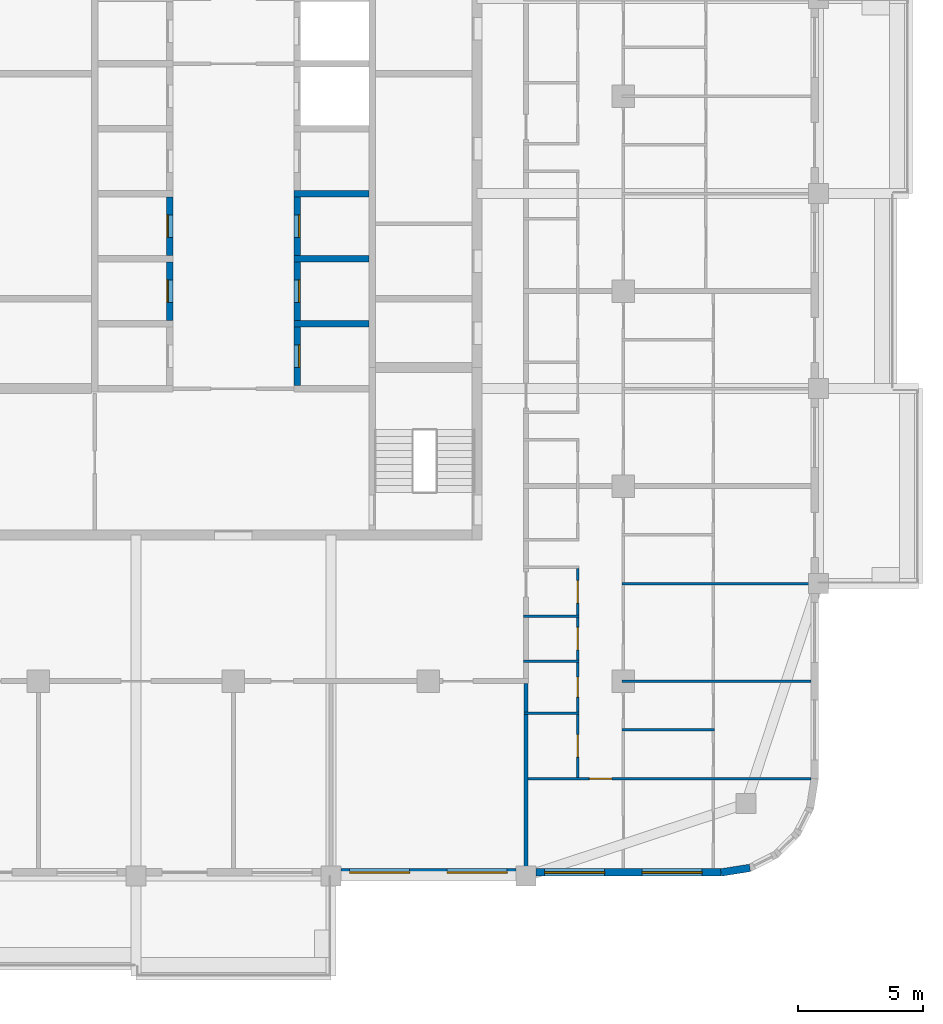
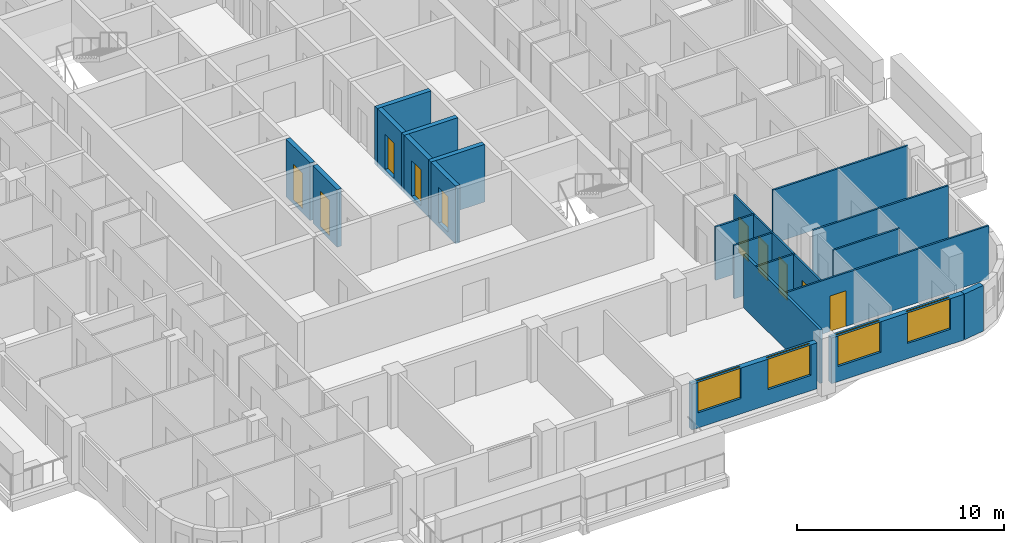
# One storey, part 5 of 16: 20 walls, 10 doors, 4 windows, 14 openings.
"""IFC4 building model written with IfcOpenShell, lengths in metres."""

from ifc_helpers import new_model, si_unit, direction, frame, frame_2d, origin, place, context, subcontext, project, spatial, rectangle, extrude, material, layer, layer_set, type_object, element, fill, save


model = new_model("IFC4")

# Units and contexts
model_context = context("Model", 3, precision=1e-05, world=origin(), true_north=direction((0.0, 1.0)))
body_context = subcontext(model_context, "Body", "Model", "MODEL_VIEW")
ifc_project = project(units=[si_unit("LENGTHUNIT", "METRE"), si_unit("AREAUNIT", "SQUARE_METRE"), si_unit("VOLUMEUNIT", "CUBIC_METRE"), si_unit("PLANEANGLEUNIT", "RADIAN"), si_unit("MASSUNIT", "GRAM", prefix="KILO")], contexts=[model_context])

# Site, building, storey
site_placement = place(None, origin())
site = spatial("IfcSite", under=ifc_project, at=site_placement, CompositionType="ELEMENT")
building_placement = place(site_placement, origin())
building = spatial("IfcBuilding", under=site, at=building_placement, Name="Ludao Terraces", CompositionType="ELEMENT")
storey_placement = place(building_placement, frame((0.0, 0.0, 217.699951171875)))
storey = spatial("IfcBuildingStorey", under=building, at=storey_placement, Name="L59", CompositionType="ELEMENT", Elevation=217.699951171875)

# Wall, openings, windows
ifc_material_1 = material(Name="Granite cladding", Category="masonry")
ifc_layer_1 = layer(ifc_material_1, 0.0400390625, Category="stone")
ifc_material_2 = material(Name="Mineral wool")
ifc_layer_2 = layer(ifc_material_2, 0.06005859375)
ifc_material_3 = material(Name="Concrete C40", Category="concrete")
ifc_layer_3 = layer(ifc_material_3, 0.199951171875, Category="concrete")
ifc_layer_set_1 = layer_set([ifc_layer_1, ifc_layer_2, ifc_layer_3], Name="ENV Stone-clad wall 300")
wall_type_1 = type_object("IfcWallType", Name="ENV Stone-clad wall 300", PredefinedType="SOLIDWALL", material=ifc_layer_set_1)
wall_1_placement = place(storey_placement, frame((89.300048828125, 41.75, 0.0), z_axis=(0.0, 0.0, 1.0), x_axis=(1.0, 0.0, 0.0)))
wall_1 = element("IfcWall", 1, at=wall_1_placement, inside=storey, type_object=wall_type_1, Name="EW-L59-S4", PredefinedType="SOLIDWALL", context=body_context, shape_type="SweptSolid", body=[
    extrude(rectangle(XDim=7.0, YDim=0.300048828125, at=frame_2d((3.5, 0.0))), origin(), (0.0, 0.0, 1.0), 2.699951171875),
])
opening_1_placement = place(wall_1_placement, frame((0.35009765625, 0.0, 0.89990234375)))
opening_1 = element("IfcOpeningElement", 2, at=opening_1_placement, cuts=wall_1, Name="Opening W1", PredefinedType="OPENING", context=body_context, shape_type="SweptSolid", body=[
    extrude(rectangle(XDim=2.39990234375, YDim=1.800048828125, at=frame_2d((1.199951171875, 0.89990234375))), frame((0.0, 0.16015625, 0.0), z_axis=(0.0, -1.0, 0.0), x_axis=(1.0, 0.0, 0.0)), (0.0, 0.0, 1.0), 0.320068359375),
])
opening_2_placement = place(wall_1_placement, frame((4.25, 0.0, 0.89990234375)))
opening_2 = element("IfcOpeningElement", 3, at=opening_2_placement, cuts=wall_1, Name="Opening W1", PredefinedType="OPENING", context=body_context, shape_type="SweptSolid", body=[
    extrude(rectangle(XDim=2.39990234375, YDim=1.800048828125, at=frame_2d((1.199951171875, 0.89990234375))), frame((0.0, 0.16015625, 0.0), z_axis=(0.0, -1.0, 0.0), x_axis=(1.0, 0.0, 0.0)), (0.0, 0.0, 1.0), 0.320068359375),
])
ifc_material_4 = material(Name="Clear glass in aluminium frame", Category="aluminium")
ifc_layer_4 = layer(ifc_material_4, 0.06005859375)
ifc_layer_set_2 = layer_set([ifc_layer_4], Name="ENV Window W1 2400x1800")
window_type = type_object("IfcWindowType", Name="ENV Window W1 2400x1800", PartitioningType="DOUBLE_PANEL_VERTICAL", PredefinedType="WINDOW", material=ifc_layer_set_2)
window_1_placement = place(opening_1_placement, origin())
window_1 = element("IfcWindow", 4, at=window_1_placement, inside=storey, type_object=window_type, Name="W-L59-S4-1", OverallHeight=1.800048828125, OverallWidth=2.39990234375, PartitioningType="DOUBLE_PANEL_VERTICAL", PredefinedType="WINDOW", context=body_context, shape_type="SweptSolid", body=[
    extrude(rectangle(XDim=2.39990234375, YDim=1.800048828125, at=frame_2d((1.199951171875, 0.89990234375))), frame((0.0, 0.030029296875, 0.0), z_axis=(0.0, -1.0, 0.0), x_axis=(1.0, 0.0, 0.0)), (0.0, 0.0, 1.0), 0.06005859375),
])
fill(opening_1, window_1)
window_2_placement = place(opening_2_placement, origin())
window_2 = element("IfcWindow", 5, at=window_2_placement, inside=storey, type_object=window_type, Name="W-L59-S4-2", OverallHeight=1.800048828125, OverallWidth=2.39990234375, PartitioningType="DOUBLE_PANEL_VERTICAL", PredefinedType="WINDOW", context=body_context, shape_type="SweptSolid", body=[
    extrude(rectangle(XDim=2.39990234375, YDim=1.800048828125, at=frame_2d((1.199951171875, 0.89990234375))), frame((0.0, 0.030029296875, 0.0), z_axis=(0.0, -1.0, 0.0), x_axis=(1.0, 0.0, 0.0)), (0.0, 0.0, 1.0), 0.06005859375),
])
fill(opening_2, window_2)

wall_2_placement = place(storey_placement, frame((97.10009765625, 41.75, 0.0), z_axis=(0.0, 0.0, 1.0), x_axis=(1.0, 0.0, 0.0)))
wall_2 = element("IfcWall", 6, at=wall_2_placement, inside=storey, type_object=wall_type_1, Name="EW-L59-S5", PredefinedType="SOLIDWALL", context=body_context, shape_type="SweptSolid", body=[
    extrude(rectangle(XDim=7.39990234375, YDim=0.300048828125, at=frame_2d((3.699951171875, 0.0))), origin(), (0.0, 0.0, 1.0), 2.699951171875),
])
opening_3_placement = place(wall_2_placement, frame((0.35009765625, 0.0, 0.89990234375)))
opening_3 = element("IfcOpeningElement", 7, at=opening_3_placement, cuts=wall_2, Name="Opening W1", PredefinedType="OPENING", context=body_context, shape_type="SweptSolid", body=[
    extrude(rectangle(XDim=2.39990234375, YDim=1.800048828125, at=frame_2d((1.199951171875, 0.89990234375))), frame((0.0, 0.16015625, 0.0), z_axis=(0.0, -1.0, 0.0), x_axis=(1.0, 0.0, 0.0)), (0.0, 0.0, 1.0), 0.320068359375),
])
opening_4_placement = place(wall_2_placement, frame((4.25, 0.0, 0.89990234375)))
opening_4 = element("IfcOpeningElement", 8, at=opening_4_placement, cuts=wall_2, Name="Opening W1", PredefinedType="OPENING", context=body_context, shape_type="SweptSolid", body=[
    extrude(rectangle(XDim=2.39990234375, YDim=1.800048828125, at=frame_2d((1.199951171875, 0.89990234375))), frame((0.0, 0.16015625, 0.0), z_axis=(0.0, -1.0, 0.0), x_axis=(1.0, 0.0, 0.0)), (0.0, 0.0, 1.0), 0.320068359375),
])
window_3_placement = place(opening_3_placement, origin())
window_3 = element("IfcWindow", 9, at=window_3_placement, inside=storey, type_object=window_type, Name="W-L59-S5-1", OverallHeight=1.800048828125, OverallWidth=2.39990234375, PartitioningType="DOUBLE_PANEL_VERTICAL", PredefinedType="WINDOW", context=body_context, shape_type="SweptSolid", body=[
    extrude(rectangle(XDim=2.39990234375, YDim=1.800048828125, at=frame_2d((1.199951171875, 0.89990234375))), frame((0.0, 0.030029296875, 0.0), z_axis=(0.0, -1.0, 0.0), x_axis=(1.0, 0.0, 0.0)), (0.0, 0.0, 1.0), 0.06005859375),
])
fill(opening_3, window_3)
window_4_placement = place(opening_4_placement, origin())
window_4 = element("IfcWindow", 10, at=window_4_placement, inside=storey, type_object=window_type, Name="W-L59-S5-2", OverallHeight=1.800048828125, OverallWidth=2.39990234375, PartitioningType="DOUBLE_PANEL_VERTICAL", PredefinedType="WINDOW", context=body_context, shape_type="SweptSolid", body=[
    extrude(rectangle(XDim=2.39990234375, YDim=1.800048828125, at=frame_2d((1.199951171875, 0.89990234375))), frame((0.0, 0.030029296875, 0.0), z_axis=(0.0, -1.0, 0.0), x_axis=(1.0, 0.0, 0.0)), (0.0, 0.0, 1.0), 0.06005859375),
])
fill(opening_4, window_4)

# Wall
wall_3_placement = place(storey_placement, frame((104.5, 41.75, 0.0), z_axis=(0.0, 0.0, 1.0), x_axis=(0.987678452879, 0.156496880861, 0.0)))
element("IfcWall", 11, at=wall_3_placement, inside=storey, type_object=wall_type_1, Name="EW-L59-SE1", PredefinedType="SOLIDWALL", context=body_context, shape_type="SweptSolid", body=[
    extrude(rectangle(XDim=1.173095703125, YDim=0.300048828125, at=frame_2d((0.58642578125, 0.0))), origin(), (0.0, 0.0, 1.0), 2.699951171875),
])

# Wall, opening, door
ifc_material_5 = material(Name="Gypsum plasterboard", Category="gypsum")
ifc_layer_5 = layer(ifc_material_5, 0.012451171875, Category="gypsum")
ifc_layer_6 = layer(ifc_material_2, 0.06005859375, Name="insulation")
ifc_material_6 = material(Name="Steel Q235", Category="steel")
ifc_layer_7 = layer(ifc_material_6, 0.014892578125, Name="stud")
ifc_layer_8 = layer(ifc_material_5, 0.012451171875, Category="gypsum")
ifc_layer_set_3 = layer_set([ifc_layer_5, ifc_layer_6, ifc_layer_7, ifc_layer_8], Name="INT Partition 100")
wall_type_2 = type_object("IfcWallType", Name="INT Partition 100", PredefinedType="PARTITIONING", material=ifc_layer_set_3)
wall_4_placement = place(storey_placement, frame((96.625, 45.5, 0.0), z_axis=(0.0, 0.0, 1.0), x_axis=(1.0, 0.0, 0.0)))
wall_4 = element("IfcWall", 12, at=wall_4_placement, inside=storey, type_object=wall_type_2, Name="PW-L59-PW001", PredefinedType="PARTITIONING", context=body_context, shape_type="SweptSolid", body=[
    extrude(rectangle(XDim=11.47509765625, YDim=0.10009765625, at=frame_2d((5.737548828125, 0.0))), origin(), (0.0, 0.0, 1.0), 3.150146484375),
])
opening_5_placement = place(wall_4_placement, frame((2.610107421875, 0.0, 0.0)))
opening_5 = element("IfcOpeningElement", 13, at=opening_5_placement, cuts=wall_4, Name="Opening R21-006", PredefinedType="OPENING", context=body_context, shape_type="SweptSolid", body=[
    extrude(rectangle(XDim=0.89990234375, YDim=2.10009765625, at=frame_2d((0.449951171875, 1.050048828125))), frame((0.0, 0.06005859375, 0.0), z_axis=(0.0, -1.0, 0.0), x_axis=(1.0, 0.0, 0.0)), (0.0, 0.0, 1.0), 0.1201171875),
])
ifc_material_7 = material(Name="Timber door leaf", Category="wood")
door_type_1 = type_object("IfcDoorType", Name="INT Room door 900", OperationType="SINGLE_SWING_LEFT", PredefinedType="DOOR", material=ifc_material_7)
door_1_placement = place(opening_5_placement, origin())
door_1 = element("IfcDoor", 14, at=door_1_placement, inside=storey, type_object=door_type_1, Name="DOOR 006", OperationType="SINGLE_SWING_RIGHT", OverallHeight=2.10009765625, OverallWidth=0.89990234375, PredefinedType="DOOR", context=body_context, shape_type="SweptSolid", body=[
    extrude(rectangle(XDim=0.89990234375, YDim=2.10009765625, at=frame_2d((0.449951171875, 1.050048828125))), frame((0.0, 0.02490234375, 0.0), z_axis=(0.0, -1.0, 0.0), x_axis=(1.0, 0.0, 0.0)), (0.0, 0.0, 1.0), 0.050048828125),
])
fill(opening_5, door_1)

# Walls
wall_5_placement = place(storey_placement, frame((100.550048828125, 47.449951171875, 0.0), z_axis=(0.0, 0.0, 1.0), x_axis=(1.0, 0.0, 0.0)))
element("IfcWall", 15, at=wall_5_placement, inside=storey, type_object=wall_type_2, Name="PW-L59-PW003", PredefinedType="PARTITIONING", context=body_context, shape_type="SweptSolid", body=[
    extrude(rectangle(XDim=3.699951171875, YDim=0.10009765625, at=frame_2d((1.85009765625, 0.0))), origin(), (0.0, 0.0, 1.0), 3.150146484375),
])
wall_6_placement = place(storey_placement, frame((96.625, 48.1201171875, 0.0), z_axis=(0.0, 0.0, 1.0), x_axis=(1.0, 0.0, 0.0)))
element("IfcWall", 16, at=wall_6_placement, inside=storey, type_object=wall_type_2, Name="PW-L59-PW005", PredefinedType="PARTITIONING", context=body_context, shape_type="SweptSolid", body=[
    extrude(rectangle(XDim=2.195068359375, YDim=0.10009765625, at=frame_2d((1.09765625, 0.0))), origin(), (0.0, 0.0, 1.0), 3.150146484375),
])
wall_7_placement = place(storey_placement, frame((100.550048828125, 49.39990234375, 0.0), z_axis=(0.0, 0.0, 1.0), x_axis=(1.0, 0.0, 0.0)))
element("IfcWall", 17, at=wall_7_placement, inside=storey, type_object=wall_type_2, Name="PW-L59-PW008", PredefinedType="PARTITIONING", context=body_context, shape_type="SweptSolid", body=[
    extrude(rectangle(XDim=7.550048828125, YDim=0.10009765625, at=frame_2d((3.77490234375, 0.0))), origin(), (0.0, 0.0, 1.0), 3.150146484375),
])
for number, where, z_axis, x_axis, name in (
    (18, (96.60009765625, 50.199951171875, 0.0), (0.0, 0.0, 1.0), (1.0, 0.0, 0.0), "PW-L59-PW009"),
    (19, (96.60009765625, 52.0, 0.0), (0.0, 0.0, 1.0), (1.0, 0.0, 0.0), "PW-L59-PW011"),
):
    element("IfcWall", number, at=place(storey_placement, frame(where, z_axis=z_axis, x_axis=x_axis)), inside=storey, type_object=wall_type_2, Name=name, PredefinedType="PARTITIONING", context=body_context, shape_type="SweptSolid", body=[
        extrude(rectangle(XDim=2.219970703125, YDim=0.10009765625, at=frame_2d((1.10986328125, 0.0))), origin(), (0.0, 0.0, 1.0), 3.150146484375),
    ])
wall_8_placement = place(storey_placement, frame((100.550048828125, 53.300048828125, 0.0), z_axis=(0.0, 0.0, 1.0), x_axis=(1.0, 0.0, 0.0)))
element("IfcWall", 20, at=wall_8_placement, inside=storey, type_object=wall_type_2, Name="PW-L59-PW013", PredefinedType="PARTITIONING", context=body_context, shape_type="SweptSolid", body=[
    extrude(rectangle(XDim=7.550048828125, YDim=0.10009765625, at=frame_2d((3.77490234375, 0.0))), origin(), (0.0, 0.0, 1.0), 3.150146484375),
])

# Wall, openings, doors
wall_9_placement = place(storey_placement, frame((98.77001953125, 45.550048828125, 0.0), z_axis=(0.0, 0.0, 1.0), x_axis=(0.0, 1.0, 0.0)))
wall_9 = element("IfcWall", 21, at=wall_9_placement, inside=storey, type_object=wall_type_2, Name="PW-L59-PW092", PredefinedType="PARTITIONING", context=body_context, shape_type="SweptSolid", body=[
    extrude(rectangle(XDim=8.35009765625, YDim=0.10009765625, at=frame_2d((4.175048828125, 0.0))), origin(), (0.0, 0.0, 1.0), 3.150146484375),
])
opening_6_placement = place(wall_9_placement, frame((0.81005859375, 0.0, 0.0)))
opening_6 = element("IfcOpeningElement", 22, at=opening_6_placement, cuts=wall_9, Name="Opening R21-010", PredefinedType="OPENING", context=body_context, shape_type="SweptSolid", body=[
    extrude(rectangle(XDim=0.89990234375, YDim=2.10009765625, at=frame_2d((0.449951171875, 1.050048828125))), frame((0.0, 0.06005859375, 0.0), z_axis=(0.0, -1.0, 0.0), x_axis=(1.0, 0.0, 0.0)), (0.0, 0.0, 1.0), 0.1201171875),
])
opening_7_placement = place(wall_9_placement, frame((3.2099609375, 0.0, 0.0)))
opening_7 = element("IfcOpeningElement", 23, at=opening_7_placement, cuts=wall_9, Name="Opening R21-015", PredefinedType="OPENING", context=body_context, shape_type="SweptSolid", body=[
    extrude(rectangle(XDim=0.800048828125, YDim=2.10009765625, at=frame_2d((0.39990234375, 1.050048828125))), frame((0.0, 0.06005859375, 0.0), z_axis=(0.0, -1.0, 0.0), x_axis=(1.0, 0.0, 0.0)), (0.0, 0.0, 1.0), 0.1201171875),
])
opening_8_placement = place(wall_9_placement, frame((5.10009765625, 0.0, 0.0)))
opening_8 = element("IfcOpeningElement", 24, at=opening_8_placement, cuts=wall_9, Name="Opening R21-021", PredefinedType="OPENING", context=body_context, shape_type="SweptSolid", body=[
    extrude(rectangle(XDim=0.89990234375, YDim=2.10009765625, at=frame_2d((0.449951171875, 1.050048828125))), frame((0.0, 0.06005859375, 0.0), z_axis=(0.0, -1.0, 0.0), x_axis=(1.0, 0.0, 0.0)), (0.0, 0.0, 1.0), 0.1201171875),
])
opening_9_placement = place(wall_9_placement, frame((6.97509765625, 0.0, 0.0)))
opening_9 = element("IfcOpeningElement", 25, at=opening_9_placement, cuts=wall_9, Name="Opening R21-027", PredefinedType="OPENING", context=body_context, shape_type="SweptSolid", body=[
    extrude(rectangle(XDim=0.89990234375, YDim=2.10009765625, at=frame_2d((0.449951171875, 1.050048828125))), frame((0.0, 0.06005859375, 0.0), z_axis=(0.0, -1.0, 0.0), x_axis=(1.0, 0.0, 0.0)), (0.0, 0.0, 1.0), 0.1201171875),
])
door_type_2 = type_object("IfcDoorType", Name="INT Bathroom door 900", OperationType="SINGLE_SWING_LEFT", PredefinedType="DOOR", material=ifc_material_7)
door_2_placement = place(opening_8_placement, origin())
door_2 = element("IfcDoor", 26, at=door_2_placement, inside=storey, type_object=door_type_2, Name="DOOR 021", OperationType="SINGLE_SWING_LEFT", OverallHeight=2.10009765625, OverallWidth=0.89990234375, PredefinedType="DOOR", context=body_context, shape_type="SweptSolid", body=[
    extrude(rectangle(XDim=0.89990234375, YDim=2.10009765625, at=frame_2d((0.449951171875, 1.050048828125))), frame((0.0, 0.02490234375, 0.0), z_axis=(0.0, -1.0, 0.0), x_axis=(1.0, 0.0, 0.0)), (0.0, 0.0, 1.0), 0.050048828125),
])
fill(opening_8, door_2)
door_3_placement = place(opening_9_placement, origin())
door_3 = element("IfcDoor", 27, at=door_3_placement, inside=storey, type_object=door_type_2, Name="DOOR 027", OperationType="SINGLE_SWING_RIGHT", OverallHeight=2.10009765625, OverallWidth=0.89990234375, PredefinedType="DOOR", context=body_context, shape_type="SweptSolid", body=[
    extrude(rectangle(XDim=0.89990234375, YDim=2.10009765625, at=frame_2d((0.449951171875, 1.050048828125))), frame((0.0, 0.02490234375, 0.0), z_axis=(0.0, -1.0, 0.0), x_axis=(1.0, 0.0, 0.0)), (0.0, 0.0, 1.0), 0.050048828125),
])
fill(opening_9, door_3)
door_4_placement = place(opening_6_placement, origin())
door_4 = element("IfcDoor", 28, at=door_4_placement, inside=storey, type_object=door_type_1, Name="DOOR 010", OperationType="SINGLE_SWING_LEFT", OverallHeight=2.10009765625, OverallWidth=0.89990234375, PredefinedType="DOOR", context=body_context, shape_type="SweptSolid", body=[
    extrude(rectangle(XDim=0.89990234375, YDim=2.10009765625, at=frame_2d((0.449951171875, 1.050048828125))), frame((0.0, 0.02490234375, 0.0), z_axis=(0.0, -1.0, 0.0), x_axis=(1.0, 0.0, 0.0)), (0.0, 0.0, 1.0), 0.050048828125),
])
fill(opening_6, door_4)
door_type_3 = type_object("IfcDoorType", Name="INT Store door 800", OperationType="SINGLE_SWING_LEFT", PredefinedType="DOOR", material=ifc_material_7)
door_5_placement = place(opening_7_placement, origin())
door_5 = element("IfcDoor", 29, at=door_5_placement, inside=storey, type_object=door_type_3, Name="DOOR 015", OperationType="SINGLE_SWING_LEFT", OverallHeight=2.10009765625, OverallWidth=0.800048828125, PredefinedType="DOOR", context=body_context, shape_type="SweptSolid", body=[
    extrude(rectangle(XDim=0.800048828125, YDim=2.10009765625, at=frame_2d((0.39990234375, 1.050048828125))), frame((0.0, 0.02490234375, 0.0), z_axis=(0.0, -1.0, 0.0), x_axis=(1.0, 0.0, 0.0)), (0.0, 0.0, 1.0), 0.050048828125),
])
fill(opening_7, door_5)

# Wall
ifc_material_8 = material(Name="Autoclaved aerated concrete block B06 A3.5", Category="concrete")
ifc_layer_9 = layer(ifc_material_8, 0.14990234375)
ifc_layer_set_4 = layer_set([ifc_layer_9], Name="INT Party wall 150")
wall_type_3 = type_object("IfcWallType", Name="INT Party wall 150", PredefinedType="PARTITIONING", material=ifc_layer_set_4)
wall_10_placement = place(storey_placement, frame((96.699951171875, 41.900146484375, 0.0), z_axis=(0.0, 0.0, 1.0), x_axis=(0.0, 1.0, 0.0)))
element("IfcWall", 30, at=wall_10_placement, inside=storey, type_object=wall_type_3, Name="PW-L59-PW089", PredefinedType="PARTITIONING", context=body_context, shape_type="SweptSolid", body=[
    extrude(rectangle(XDim=7.39990234375, YDim=0.14990234375, at=frame_2d((3.699951171875, 0.0))), origin(), (0.0, 0.0, 1.0), 3.150146484375),
])

# Wall, opening, door
ifc_material_9 = material(Name="Concrete C50", Category="concrete")
ifc_layer_10 = layer(ifc_material_9, 0.25)
ifc_layer_set_5 = layer_set([ifc_layer_10], Name="Shaft wall 250 C50")
wall_type_4 = type_object("IfcWallType", Name="Shaft wall 250 C50", PredefinedType="SOLIDWALL", material=ifc_layer_set_5)
wall_11_placement = place(storey_placement, frame((82.449951171875, 63.824951171875, -0.25), z_axis=(0.0, 0.0, 1.0), x_axis=(0.0, 1.0, 0.0)))
wall_11 = element("IfcWall", 31, at=wall_11_placement, inside=storey, type_object=wall_type_4, Name="Core wall L59 front-W2", PredefinedType="SOLIDWALL", context=body_context, shape_type="SweptSolid", body=[
    extrude(rectangle(XDim=2.35009765625, YDim=0.25, at=frame_2d((1.175048828125, 0.0))), origin(), (0.0, 0.0, 1.0), 3.400146484375),
])
opening_10_placement = place(wall_11_placement, frame((0.72509765625, 0.0, 0.25)))
opening_10 = element("IfcOpeningElement", 32, at=opening_10_placement, cuts=wall_11, Name="Opening R21-063", PredefinedType="OPENING", context=body_context, shape_type="SweptSolid", body=[
    extrude(rectangle(XDim=0.89990234375, YDim=2.10009765625, at=frame_2d((0.449951171875, 1.050048828125))), frame((0.0, 0.135009765625, 0.0), z_axis=(0.0, -1.0, 0.0), x_axis=(1.0, 0.0, 0.0)), (0.0, 0.0, 1.0), 0.27001953125),
])
door_6_placement = place(opening_10_placement, origin())
door_6 = element("IfcDoor", 33, at=door_6_placement, inside=storey, type_object=door_type_1, Name="DOOR 063", OperationType="SINGLE_SWING_LEFT", OverallHeight=2.10009765625, OverallWidth=0.89990234375, PredefinedType="DOOR", context=body_context, shape_type="SweptSolid", body=[
    extrude(rectangle(XDim=0.89990234375, YDim=2.10009765625, at=frame_2d((0.449951171875, 1.050048828125))), frame((0.0, 0.10986328125, 0.0), z_axis=(0.0, -1.0, 0.0), x_axis=(1.0, 0.0, 0.0)), (0.0, 0.0, 1.0), 0.050048828125),
])
fill(opening_10, door_6)

wall_12_placement = place(storey_placement, frame((82.449951171875, 66.425048828125, -0.25), z_axis=(0.0, 0.0, 1.0), x_axis=(0.0, 1.0, 0.0)))
wall_12 = element("IfcWall", 34, at=wall_12_placement, inside=storey, type_object=wall_type_4, Name="Core wall L59 front-W3", PredefinedType="SOLIDWALL", context=body_context, shape_type="SweptSolid", body=[
    extrude(rectangle(XDim=2.349853515625, YDim=0.25, at=frame_2d((1.1748046875, 0.0))), origin(), (0.0, 0.0, 1.0), 3.400146484375),
])
opening_11_placement = place(wall_12_placement, frame((0.72509765625, 0.0, 0.25)))
opening_11 = element("IfcOpeningElement", 35, at=opening_11_placement, cuts=wall_12, Name="Opening R21-072", PredefinedType="OPENING", context=body_context, shape_type="SweptSolid", body=[
    extrude(rectangle(XDim=0.89990234375, YDim=2.10009765625, at=frame_2d((0.449951171875, 1.050048828125))), frame((0.0, 0.135009765625, 0.0), z_axis=(0.0, -1.0, 0.0), x_axis=(1.0, 0.0, 0.0)), (0.0, 0.0, 1.0), 0.27001953125),
])
door_7_placement = place(opening_11_placement, origin())
door_7 = element("IfcDoor", 36, at=door_7_placement, inside=storey, type_object=door_type_1, Name="DOOR 072", OperationType="SINGLE_SWING_RIGHT", OverallHeight=2.10009765625, OverallWidth=0.89990234375, PredefinedType="DOOR", context=body_context, shape_type="SweptSolid", body=[
    extrude(rectangle(XDim=0.89990234375, YDim=2.10009765625, at=frame_2d((0.449951171875, 1.050048828125))), frame((0.0, 0.10986328125, 0.0), z_axis=(0.0, -1.0, 0.0), x_axis=(1.0, 0.0, 0.0)), (0.0, 0.0, 1.0), 0.050048828125),
])
fill(opening_11, door_7)

wall_13_placement = place(storey_placement, frame((87.550048828125, 61.22509765625, -0.25), z_axis=(0.0, 0.0, 1.0), x_axis=(0.0, 1.0, 0.0)))
wall_13 = element("IfcWall", 37, at=wall_13_placement, inside=storey, type_object=wall_type_4, Name="Core wall L59 front-E1", PredefinedType="SOLIDWALL", context=body_context, shape_type="SweptSolid", body=[
    extrude(rectangle(XDim=2.349853515625, YDim=0.25, at=frame_2d((1.1748046875, 0.0))), origin(), (0.0, 0.0, 1.0), 3.400146484375),
])
opening_12_placement = place(wall_13_placement, frame((0.72509765625, 0.0, 0.25)))
opening_12 = element("IfcOpeningElement", 38, at=opening_12_placement, cuts=wall_13, Name="Opening R21-054", PredefinedType="OPENING", context=body_context, shape_type="SweptSolid", body=[
    extrude(rectangle(XDim=0.89990234375, YDim=2.10009765625, at=frame_2d((0.449951171875, 1.050048828125))), frame((0.0, 0.135009765625, 0.0), z_axis=(0.0, -1.0, 0.0), x_axis=(1.0, 0.0, 0.0)), (0.0, 0.0, 1.0), 0.27001953125),
])
door_8_placement = place(opening_12_placement, origin())
door_8 = element("IfcDoor", 39, at=door_8_placement, inside=storey, type_object=door_type_1, Name="DOOR 054", OperationType="SINGLE_SWING_RIGHT", OverallHeight=2.10009765625, OverallWidth=0.89990234375, PredefinedType="DOOR", context=body_context, shape_type="SweptSolid", body=[
    extrude(rectangle(XDim=0.89990234375, YDim=2.10009765625, at=frame_2d((0.449951171875, 1.050048828125))), frame((0.0, -0.06005859375, 0.0), z_axis=(0.0, -1.0, 0.0), x_axis=(1.0, 0.0, 0.0)), (0.0, 0.0, 1.0), 0.050048828125),
])
fill(opening_12, door_8)

# Wall
wall_14_placement = place(storey_placement, frame((87.425048828125, 63.699951171875, -0.25), z_axis=(0.0, 0.0, 1.0), x_axis=(1.0, 0.0, 0.0)))
element("IfcWall", 40, at=wall_14_placement, inside=storey, type_object=wall_type_4, Name="Core wall L59 div-E2", PredefinedType="SOLIDWALL", context=body_context, shape_type="SweptSolid", body=[
    extrude(rectangle(XDim=3.0, YDim=0.25, at=frame_2d((1.5, 0.0))), origin(), (0.0, 0.0, 1.0), 3.400146484375),
])

# Wall, opening, door
wall_15_placement = place(storey_placement, frame((87.550048828125, 63.824951171875, -0.25), z_axis=(0.0, 0.0, 1.0), x_axis=(0.0, 1.0, 0.0)))
wall_15 = element("IfcWall", 41, at=wall_15_placement, inside=storey, type_object=wall_type_4, Name="Core wall L59 front-E2", PredefinedType="SOLIDWALL", context=body_context, shape_type="SweptSolid", body=[
    extrude(rectangle(XDim=2.35009765625, YDim=0.25, at=frame_2d((1.175048828125, 0.0))), origin(), (0.0, 0.0, 1.0), 3.400146484375),
])
opening_13_placement = place(wall_15_placement, frame((0.72509765625, 0.0, 0.25)))
opening_13 = element("IfcOpeningElement", 42, at=opening_13_placement, cuts=wall_15, Name="Opening R21-064", PredefinedType="OPENING", context=body_context, shape_type="SweptSolid", body=[
    extrude(rectangle(XDim=0.89990234375, YDim=2.10009765625, at=frame_2d((0.449951171875, 1.050048828125))), frame((0.0, 0.135009765625, 0.0), z_axis=(0.0, -1.0, 0.0), x_axis=(1.0, 0.0, 0.0)), (0.0, 0.0, 1.0), 0.27001953125),
])
door_9_placement = place(opening_13_placement, origin())
door_9 = element("IfcDoor", 43, at=door_9_placement, inside=storey, type_object=door_type_1, Name="DOOR 064", OperationType="SINGLE_SWING_RIGHT", OverallHeight=2.10009765625, OverallWidth=0.89990234375, PredefinedType="DOOR", context=body_context, shape_type="SweptSolid", body=[
    extrude(rectangle(XDim=0.89990234375, YDim=2.10009765625, at=frame_2d((0.449951171875, 1.050048828125))), frame((0.0, -0.06005859375, 0.0), z_axis=(0.0, -1.0, 0.0), x_axis=(1.0, 0.0, 0.0)), (0.0, 0.0, 1.0), 0.050048828125),
])
fill(opening_13, door_9)

# Wall
wall_16_placement = place(storey_placement, frame((87.425048828125, 66.300048828125, -0.25), z_axis=(0.0, 0.0, 1.0), x_axis=(1.0, 0.0, 0.0)))
element("IfcWall", 44, at=wall_16_placement, inside=storey, type_object=wall_type_4, Name="Core wall L59 div-E3", PredefinedType="SOLIDWALL", context=body_context, shape_type="SweptSolid", body=[
    extrude(rectangle(XDim=3.0, YDim=0.25, at=frame_2d((1.5, 0.0))), origin(), (0.0, 0.0, 1.0), 3.400146484375),
])

# Wall, opening, door
wall_17_placement = place(storey_placement, frame((87.550048828125, 66.425048828125, -0.25), z_axis=(0.0, 0.0, 1.0), x_axis=(0.0, 1.0, 0.0)))
wall_17 = element("IfcWall", 45, at=wall_17_placement, inside=storey, type_object=wall_type_4, Name="Core wall L59 front-E3", PredefinedType="SOLIDWALL", context=body_context, shape_type="SweptSolid", body=[
    extrude(rectangle(XDim=2.349853515625, YDim=0.25, at=frame_2d((1.1748046875, 0.0))), origin(), (0.0, 0.0, 1.0), 3.400146484375),
])
opening_14_placement = place(wall_17_placement, frame((0.72509765625, 0.0, 0.25)))
opening_14 = element("IfcOpeningElement", 46, at=opening_14_placement, cuts=wall_17, Name="Opening R21-073", PredefinedType="OPENING", context=body_context, shape_type="SweptSolid", body=[
    extrude(rectangle(XDim=0.89990234375, YDim=2.10009765625, at=frame_2d((0.449951171875, 1.050048828125))), frame((0.0, 0.135009765625, 0.0), z_axis=(0.0, -1.0, 0.0), x_axis=(1.0, 0.0, 0.0)), (0.0, 0.0, 1.0), 0.27001953125),
])
door_10_placement = place(opening_14_placement, origin())
door_10 = element("IfcDoor", 47, at=door_10_placement, inside=storey, type_object=door_type_1, Name="DOOR 073", OperationType="SINGLE_SWING_LEFT", OverallHeight=2.10009765625, OverallWidth=0.89990234375, PredefinedType="DOOR", context=body_context, shape_type="SweptSolid", body=[
    extrude(rectangle(XDim=0.89990234375, YDim=2.10009765625, at=frame_2d((0.449951171875, 1.050048828125))), frame((0.0, -0.06005859375, 0.0), z_axis=(0.0, -1.0, 0.0), x_axis=(1.0, 0.0, 0.0)), (0.0, 0.0, 1.0), 0.050048828125),
])
fill(opening_14, door_10)

# Wall
wall_18_placement = place(storey_placement, frame((87.425048828125, 68.89990234375, -0.25), z_axis=(0.0, 0.0, 1.0), x_axis=(1.0, 0.0, 0.0)))
element("IfcWall", 48, at=wall_18_placement, inside=storey, type_object=wall_type_4, Name="Core wall L59 div-E4", PredefinedType="SOLIDWALL", context=body_context, shape_type="SweptSolid", body=[
    extrude(rectangle(XDim=3.0, YDim=0.25, at=frame_2d((1.5, 0.0))), origin(), (0.0, 0.0, 1.0), 3.400146484375),
])

save(model, "model.ifc")
